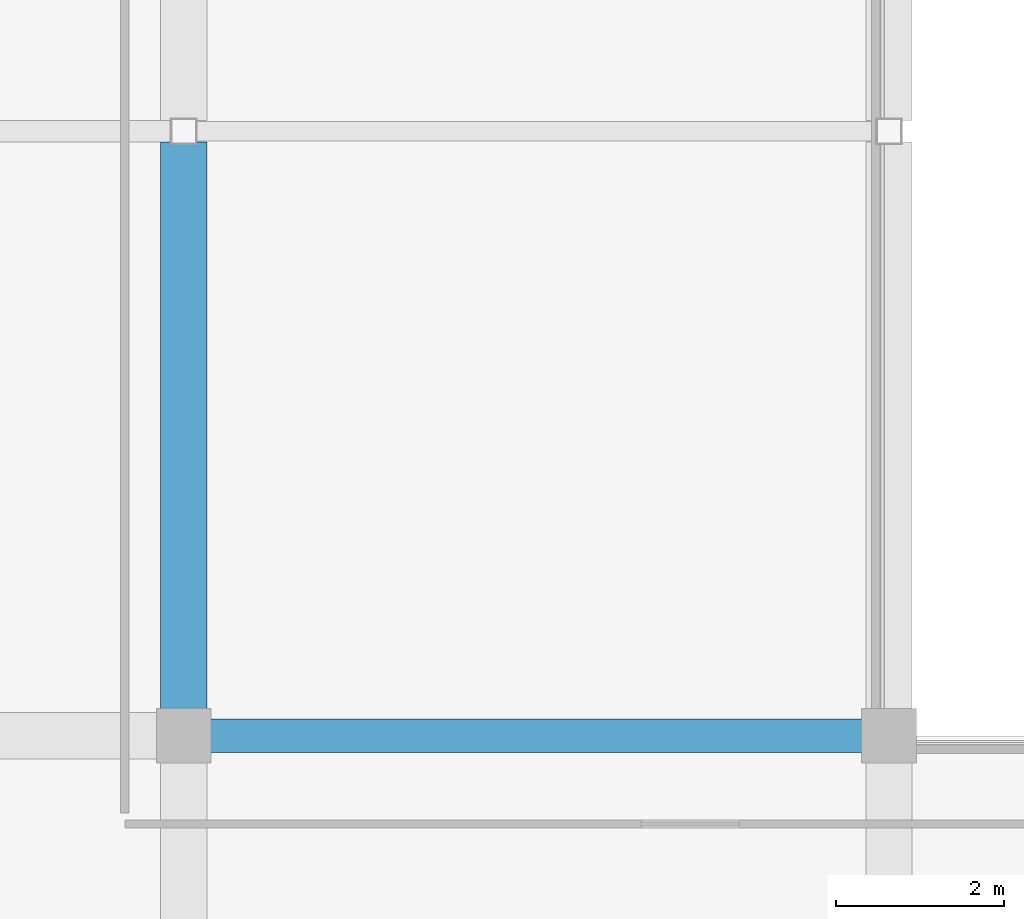
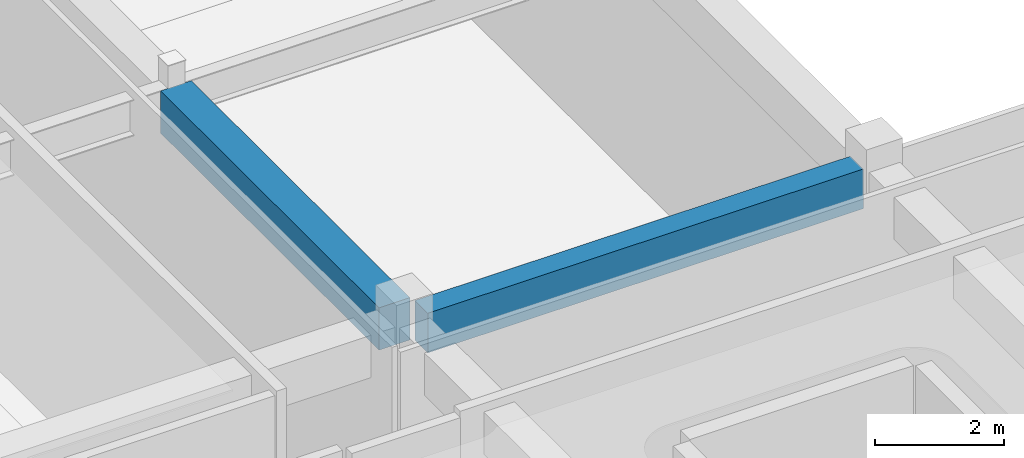
# One storey, part 30 of 78: 2 beams.
"""IFC4 building model written with IfcOpenShell, lengths in metres."""

from ifc_helpers import new_model, si_unit, direction, frame, origin, origin_2d, place, context, subcontext, project, spatial, rectangle, extrude, material, material_profile, profile_set, type_object, element, save


model = new_model("IFC4")

# Units and contexts
model_context = context("Model", 3, precision=1e-05, world=origin(), true_north=direction((0.0, 1.0)))
body_context = subcontext(model_context, "Body", "Model", "MODEL_VIEW")
ifc_project = project(units=[si_unit("LENGTHUNIT", "METRE"), si_unit("AREAUNIT", "SQUARE_METRE"), si_unit("VOLUMEUNIT", "CUBIC_METRE"), si_unit("PLANEANGLEUNIT", "RADIAN"), si_unit("MASSUNIT", "GRAM", prefix="KILO")], contexts=[model_context])

# Site, building, storey
site_placement = place(None, origin())
site = spatial("IfcSite", under=ifc_project, at=site_placement, CompositionType="ELEMENT")
building_placement = place(site_placement, origin())
building = spatial("IfcBuilding", under=site, at=building_placement, Name="Quendrovan Civic Courthouse", CompositionType="ELEMENT")
storey_placement = place(building_placement, frame((0.0, 0.0, 10.199951171875)))
storey = spatial("IfcBuildingStorey", under=building, at=storey_placement, Name="L03", CompositionType="ELEMENT", Elevation=10.199951171875)

# Beams
ifc_material = material(Name="Concrete C40/50", Category="concrete")
ifc_material_profile_1 = material_profile(ifc_material, rectangle(XDim=0.39990234375, YDim=0.75, at=origin_2d()), Name="RC-BM-400x750")
ifc_profile_set_1 = profile_set([ifc_material_profile_1], Name="Concrete C40/50")
beam_type_1 = type_object("IfcBeamType", Name="BM-RC750B", PredefinedType="BEAM", material=ifc_profile_set_1)
beam_1_placement = place(storey_placement, frame((42.304931640625, 73.199951171875, 4.28515625), z_axis=(1.0, 0.0, 0.0), x_axis=(0.0, 1.0, 0.0)))
element("IfcBeam", 1, at=beam_1_placement, inside=storey, type_object=beam_type_1, Name="L03 Girder X0754", PredefinedType="BEAM", context=body_context, shape_type="SweptSolid", body=[
    extrude(rectangle(XDim=0.39990234375, YDim=0.75, at=origin_2d()), origin(), (0.0, 0.0, 1.0), 7.7900390625),
])
ifc_material_profile_2 = material_profile(ifc_material, rectangle(XDim=0.550048828125, YDim=0.800048828125, at=origin_2d()), Name="RC-BM-550x800")
ifc_profile_set_2 = profile_set([ifc_material_profile_2], Name="Concrete C40/50")
beam_type_2 = type_object("IfcBeamType", Name="BM-RC800", PredefinedType="BEAM", material=ifc_profile_set_2)
beam_2_placement = place(storey_placement, frame((42.0, 73.5048828125, 4.260009765625), z_axis=(0.0, 1.0, 0.0), x_axis=(-1.0, 0.0, 0.0)))
element("IfcBeam", 2, at=beam_2_placement, inside=storey, type_object=beam_type_2, Name="L03 Girder Y0831", PredefinedType="BEAM", context=body_context, shape_type="SweptSolid", body=[
    extrude(rectangle(XDim=0.550048828125, YDim=0.800048828125, at=origin_2d()), origin(), (0.0, 0.0, 1.0), 6.76513671875),
])

save(model, "model.ifc")
